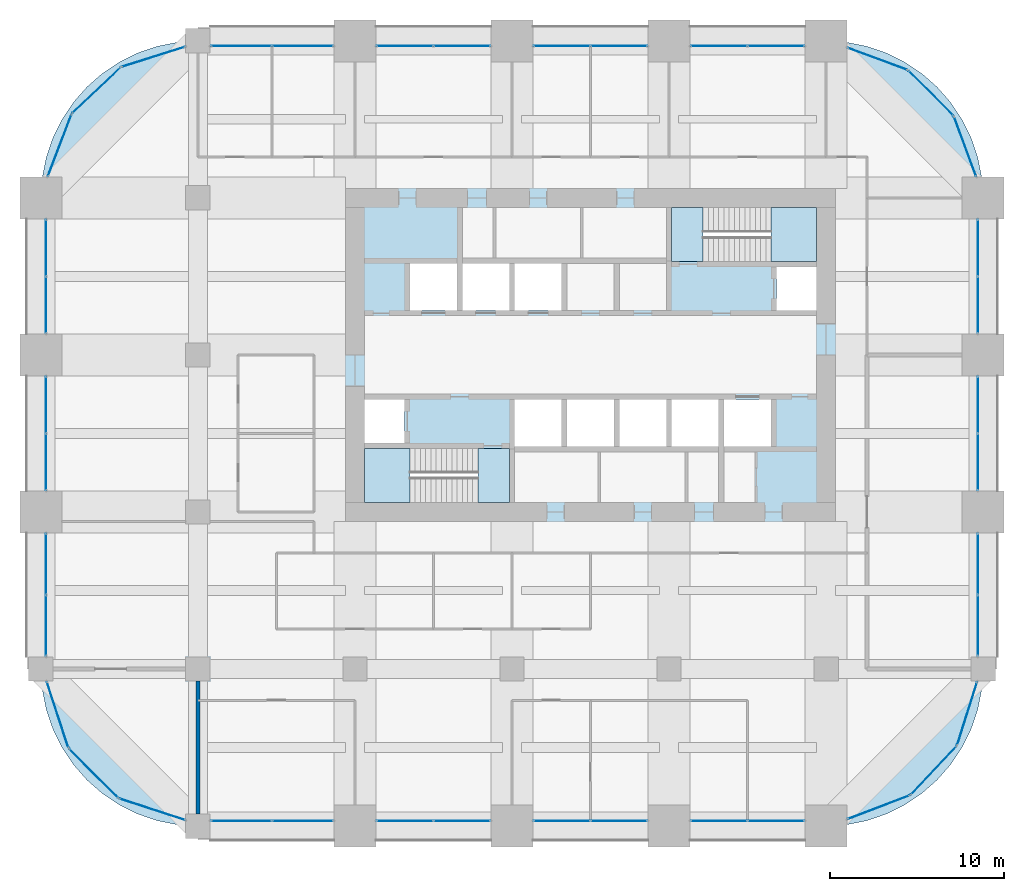
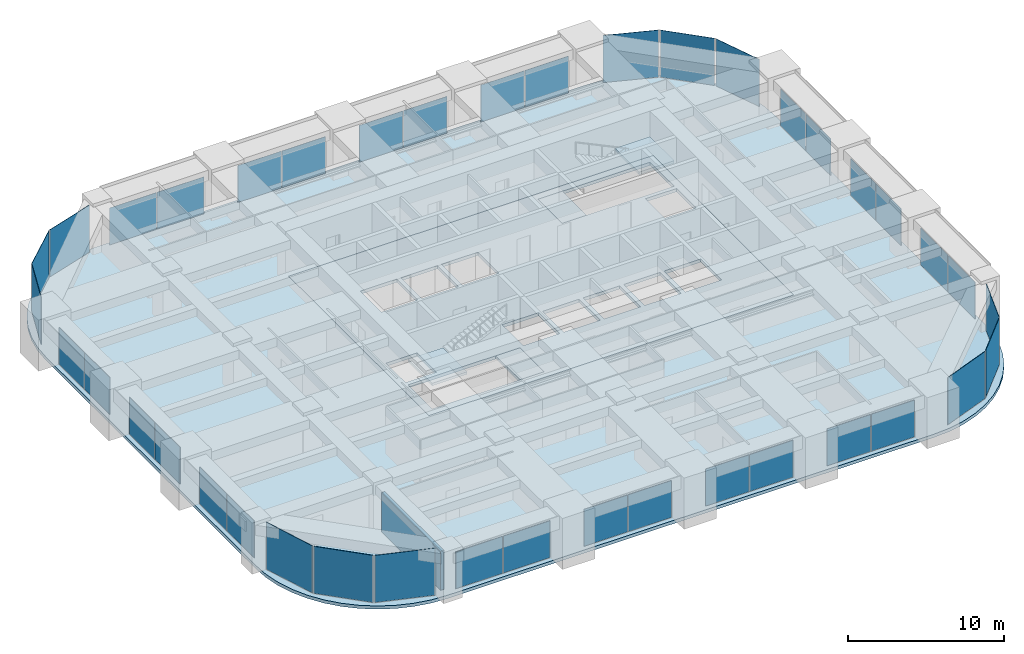
# One storey, part 29 of 34: 40 plates, 6 slabs, 1 wall, 28 elements without a shape of their own.
"""IFC4 building model written with IfcOpenShell, lengths in metres."""

from ifc_helpers import new_model, si_unit, direction, frame, frame_2d, origin, origin_2d, place, context, subcontext, project, spatial, polyline, rectangle, outline, extrude, material, layer, layer_set, type_object, element, aggregate, save


model = new_model("IFC4")

# Units and contexts
model_context = context("Model", 3, precision=1e-05, world=origin(), true_north=direction((0.0, 1.0)))
body_context = subcontext(model_context, "Body", "Model", "MODEL_VIEW")
ifc_project = project(units=[si_unit("LENGTHUNIT", "METRE"), si_unit("AREAUNIT", "SQUARE_METRE"), si_unit("VOLUMEUNIT", "CUBIC_METRE"), si_unit("PLANEANGLEUNIT", "RADIAN"), si_unit("MASSUNIT", "GRAM", prefix="KILO")], contexts=[model_context])

# Site, building, storey
site_placement = place(None, origin())
site = spatial("IfcSite", under=ifc_project, at=site_placement, CompositionType="ELEMENT")
building_placement = place(site_placement, origin())
building = spatial("IfcBuilding", under=site, at=building_placement, Name="Zorevar Civic Tower", CompositionType="ELEMENT")
storey_placement = place(building_placement, frame((0.0, 0.0, 226.199951171875)))
storey = spatial("IfcBuildingStorey", under=building, at=storey_placement, Name="L55", CompositionType="ELEMENT", Elevation=226.199951171875)

# Curtain wall, plates
ifc_material_1 = material(Name="Dark grey solar-control glass in black aluminium frame", Category="aluminium")
curtain_wall_type = type_object("IfcCurtainWallType", Name="Curtain wall CW4 high zone", PredefinedType="NOTDEFINED", material=ifc_material_1)
curtain_wall_1_placement = place(storey_placement, origin())
curtain_wall_1 = element("IfcCurtainWall", 1, at=curtain_wall_1_placement, inside=storey, type_object=curtain_wall_type, Name="CW4 L55", PredefinedType="NOTDEFINED")
ifc_material_2 = material(Name="Dark grey solar-control glass", Category="glass")
ifc_layer_1 = layer(ifc_material_2, 0.028076171875)
ifc_layer_set_1 = layer_set([ifc_layer_1], Name="CW4 panel 28")
plate_type = type_object("IfcPlateType", Name="CW4 panel 28", PredefinedType="CURTAIN_PANEL", material=ifc_layer_set_1)
plate_1_placement = place(storey_placement, frame((11.489990234375, 0.300048828125, 0.06005859375), z_axis=(0.0, 0.0, 1.0), x_axis=(1.0, 0.0, 0.0)))
plate_1 = element("IfcPlate", 2, at=plate_1_placement, type_object=plate_type, Name="CW4 panel 1.1", PredefinedType="CURTAIN_PANEL", context=body_context, shape_type="SweptSolid", body=[
    extrude(rectangle(XDim=3.4599609375, YDim=0.028076171875, at=origin_2d()), origin(), (0.0, 0.0, 1.0), 2.889892578125),
])
plate_2_placement = place(storey_placement, frame((15.010009765625, 0.300048828125, 0.06005859375), z_axis=(0.0, 0.0, 1.0), x_axis=(1.0, 0.0, 0.0)))
plate_2 = element("IfcPlate", 3, at=plate_2_placement, type_object=plate_type, Name="CW4 panel 2.1", PredefinedType="CURTAIN_PANEL", context=body_context, shape_type="SweptSolid", body=[
    extrude(rectangle(XDim=3.4599609375, YDim=0.028076171875, at=origin_2d()), origin(), (0.0, 0.0, 1.0), 2.889892578125),
])
aggregate(curtain_wall_1, [plate_1, plate_2])

curtain_wall_2_placement = place(storey_placement, origin())
curtain_wall_2 = element("IfcCurtainWall", 4, at=curtain_wall_2_placement, inside=storey, type_object=curtain_wall_type, Name="CW4 L55", PredefinedType="NOTDEFINED")
plate_3_placement = place(storey_placement, frame((11.489990234375, 44.699951171875, 0.06005859375), z_axis=(0.0, 0.0, 1.0), x_axis=(1.0, 0.0, 0.0)))
plate_3 = element("IfcPlate", 5, at=plate_3_placement, type_object=plate_type, Name="CW4 panel 1.1", PredefinedType="CURTAIN_PANEL", context=body_context, shape_type="SweptSolid", body=[
    extrude(rectangle(XDim=3.4599609375, YDim=0.028076171875, at=origin_2d()), origin(), (0.0, 0.0, 1.0), 2.889892578125),
])
plate_4_placement = place(storey_placement, frame((15.010009765625, 44.699951171875, 0.06005859375), z_axis=(0.0, 0.0, 1.0), x_axis=(1.0, 0.0, 0.0)))
plate_4 = element("IfcPlate", 6, at=plate_4_placement, type_object=plate_type, Name="CW4 panel 2.1", PredefinedType="CURTAIN_PANEL", context=body_context, shape_type="SweptSolid", body=[
    extrude(rectangle(XDim=3.4599609375, YDim=0.028076171875, at=origin_2d()), origin(), (0.0, 0.0, 1.0), 2.889892578125),
])
aggregate(curtain_wall_2, [plate_3, plate_4])

curtain_wall_3_placement = place(storey_placement, origin())
curtain_wall_3 = element("IfcCurtainWall", 7, at=curtain_wall_3_placement, inside=storey, type_object=curtain_wall_type, Name="CW4 L55", PredefinedType="NOTDEFINED")
plate_5_placement = place(storey_placement, frame((20.864990234375, 0.300048828125, 0.06005859375), z_axis=(0.0, 0.0, 1.0), x_axis=(1.0, 0.0, 0.0)))
plate_5 = element("IfcPlate", 8, at=plate_5_placement, type_object=plate_type, Name="CW4 panel 1.1", PredefinedType="CURTAIN_PANEL", context=body_context, shape_type="SweptSolid", body=[
    extrude(rectangle(XDim=3.2099609375, YDim=0.028076171875, at=origin_2d()), origin(), (0.0, 0.0, 1.0), 2.889892578125),
])
plate_6_placement = place(storey_placement, frame((24.135009765625, 0.300048828125, 0.06005859375), z_axis=(0.0, 0.0, 1.0), x_axis=(1.0, 0.0, 0.0)))
plate_6 = element("IfcPlate", 9, at=plate_6_placement, type_object=plate_type, Name="CW4 panel 2.1", PredefinedType="CURTAIN_PANEL", context=body_context, shape_type="SweptSolid", body=[
    extrude(rectangle(XDim=3.2099609375, YDim=0.028076171875, at=origin_2d()), origin(), (0.0, 0.0, 1.0), 2.889892578125),
])
aggregate(curtain_wall_3, [plate_5, plate_6])

curtain_wall_4_placement = place(storey_placement, origin())
curtain_wall_4 = element("IfcCurtainWall", 10, at=curtain_wall_4_placement, inside=storey, type_object=curtain_wall_type, Name="CW4 L55", PredefinedType="NOTDEFINED")
plate_7_placement = place(storey_placement, frame((20.864990234375, 44.699951171875, 0.06005859375), z_axis=(0.0, 0.0, 1.0), x_axis=(1.0, 0.0, 0.0)))
plate_7 = element("IfcPlate", 11, at=plate_7_placement, type_object=plate_type, Name="CW4 panel 1.1", PredefinedType="CURTAIN_PANEL", context=body_context, shape_type="SweptSolid", body=[
    extrude(rectangle(XDim=3.2099609375, YDim=0.028076171875, at=origin_2d()), origin(), (0.0, 0.0, 1.0), 2.889892578125),
])
plate_8_placement = place(storey_placement, frame((24.135009765625, 44.699951171875, 0.06005859375), z_axis=(0.0, 0.0, 1.0), x_axis=(1.0, 0.0, 0.0)))
plate_8 = element("IfcPlate", 12, at=plate_8_placement, type_object=plate_type, Name="CW4 panel 2.1", PredefinedType="CURTAIN_PANEL", context=body_context, shape_type="SweptSolid", body=[
    extrude(rectangle(XDim=3.2099609375, YDim=0.028076171875, at=origin_2d()), origin(), (0.0, 0.0, 1.0), 2.889892578125),
])
aggregate(curtain_wall_4, [plate_7, plate_8])

curtain_wall_5_placement = place(storey_placement, origin())
curtain_wall_5 = element("IfcCurtainWall", 13, at=curtain_wall_5_placement, inside=storey, type_object=curtain_wall_type, Name="CW4 L55", PredefinedType="NOTDEFINED")
plate_9_placement = place(storey_placement, frame((29.864990234375, 0.300048828125, 0.06005859375), z_axis=(0.0, 0.0, 1.0), x_axis=(1.0, 0.0, 0.0)))
plate_9 = element("IfcPlate", 14, at=plate_9_placement, type_object=plate_type, Name="CW4 panel 1.1", PredefinedType="CURTAIN_PANEL", context=body_context, shape_type="SweptSolid", body=[
    extrude(rectangle(XDim=3.2099609375, YDim=0.028076171875, at=origin_2d()), origin(), (0.0, 0.0, 1.0), 2.889892578125),
])
plate_10_placement = place(storey_placement, frame((33.135009765625, 0.300048828125, 0.06005859375), z_axis=(0.0, 0.0, 1.0), x_axis=(1.0, 0.0, 0.0)))
plate_10 = element("IfcPlate", 15, at=plate_10_placement, type_object=plate_type, Name="CW4 panel 2.1", PredefinedType="CURTAIN_PANEL", context=body_context, shape_type="SweptSolid", body=[
    extrude(rectangle(XDim=3.2099609375, YDim=0.028076171875, at=origin_2d()), origin(), (0.0, 0.0, 1.0), 2.889892578125),
])
aggregate(curtain_wall_5, [plate_9, plate_10])

curtain_wall_6_placement = place(storey_placement, origin())
curtain_wall_6 = element("IfcCurtainWall", 16, at=curtain_wall_6_placement, inside=storey, type_object=curtain_wall_type, Name="CW4 L55", PredefinedType="NOTDEFINED")
plate_11_placement = place(storey_placement, frame((29.864990234375, 44.699951171875, 0.06005859375), z_axis=(0.0, 0.0, 1.0), x_axis=(1.0, 0.0, 0.0)))
plate_11 = element("IfcPlate", 17, at=plate_11_placement, type_object=plate_type, Name="CW4 panel 1.1", PredefinedType="CURTAIN_PANEL", context=body_context, shape_type="SweptSolid", body=[
    extrude(rectangle(XDim=3.2099609375, YDim=0.028076171875, at=origin_2d()), origin(), (0.0, 0.0, 1.0), 2.889892578125),
])
plate_12_placement = place(storey_placement, frame((33.135009765625, 44.699951171875, 0.06005859375), z_axis=(0.0, 0.0, 1.0), x_axis=(1.0, 0.0, 0.0)))
plate_12 = element("IfcPlate", 18, at=plate_12_placement, type_object=plate_type, Name="CW4 panel 2.1", PredefinedType="CURTAIN_PANEL", context=body_context, shape_type="SweptSolid", body=[
    extrude(rectangle(XDim=3.2099609375, YDim=0.028076171875, at=origin_2d()), origin(), (0.0, 0.0, 1.0), 2.889892578125),
])
aggregate(curtain_wall_6, [plate_11, plate_12])

curtain_wall_7_placement = place(storey_placement, origin())
curtain_wall_7 = element("IfcCurtainWall", 19, at=curtain_wall_7_placement, inside=storey, type_object=curtain_wall_type, Name="CW4 L55", PredefinedType="NOTDEFINED")
plate_13_placement = place(storey_placement, frame((38.864990234375, 0.300048828125, 0.06005859375), z_axis=(0.0, 0.0, 1.0), x_axis=(1.0, 0.0, 0.0)))
plate_13 = element("IfcPlate", 20, at=plate_13_placement, type_object=plate_type, Name="CW4 panel 1.1", PredefinedType="CURTAIN_PANEL", context=body_context, shape_type="SweptSolid", body=[
    extrude(rectangle(XDim=3.2099609375, YDim=0.028076171875, at=origin_2d()), origin(), (0.0, 0.0, 1.0), 2.889892578125),
])
plate_14_placement = place(storey_placement, frame((42.135009765625, 0.300048828125, 0.06005859375), z_axis=(0.0, 0.0, 1.0), x_axis=(1.0, 0.0, 0.0)))
plate_14 = element("IfcPlate", 21, at=plate_14_placement, type_object=plate_type, Name="CW4 panel 2.1", PredefinedType="CURTAIN_PANEL", context=body_context, shape_type="SweptSolid", body=[
    extrude(rectangle(XDim=3.2099609375, YDim=0.028076171875, at=origin_2d()), origin(), (0.0, 0.0, 1.0), 2.889892578125),
])
aggregate(curtain_wall_7, [plate_13, plate_14])

curtain_wall_8_placement = place(storey_placement, origin())
curtain_wall_8 = element("IfcCurtainWall", 22, at=curtain_wall_8_placement, inside=storey, type_object=curtain_wall_type, Name="CW4 L55", PredefinedType="NOTDEFINED")
plate_15_placement = place(storey_placement, frame((38.864990234375, 44.699951171875, 0.06005859375), z_axis=(0.0, 0.0, 1.0), x_axis=(1.0, 0.0, 0.0)))
plate_15 = element("IfcPlate", 23, at=plate_15_placement, type_object=plate_type, Name="CW4 panel 1.1", PredefinedType="CURTAIN_PANEL", context=body_context, shape_type="SweptSolid", body=[
    extrude(rectangle(XDim=3.2099609375, YDim=0.028076171875, at=origin_2d()), origin(), (0.0, 0.0, 1.0), 2.889892578125),
])
plate_16_placement = place(storey_placement, frame((42.135009765625, 44.699951171875, 0.06005859375), z_axis=(0.0, 0.0, 1.0), x_axis=(1.0, 0.0, 0.0)))
plate_16 = element("IfcPlate", 24, at=plate_16_placement, type_object=plate_type, Name="CW4 panel 2.1", PredefinedType="CURTAIN_PANEL", context=body_context, shape_type="SweptSolid", body=[
    extrude(rectangle(XDim=3.2099609375, YDim=0.028076171875, at=origin_2d()), origin(), (0.0, 0.0, 1.0), 2.889892578125),
])
aggregate(curtain_wall_8, [plate_15, plate_16])

curtain_wall_9_placement = place(storey_placement, origin())
curtain_wall_9 = element("IfcCurtainWall", 25, at=curtain_wall_9_placement, inside=storey, type_object=curtain_wall_type, Name="CW4 L55", PredefinedType="NOTDEFINED")
plate_17_placement = place(storey_placement, frame((0.300048828125, 11.489990234375, 0.06005859375), z_axis=(0.0, 0.0, 1.0), x_axis=(0.0, 1.0, 0.0)))
plate_17 = element("IfcPlate", 26, at=plate_17_placement, type_object=plate_type, Name="CW4 panel 1.1", PredefinedType="CURTAIN_PANEL", context=body_context, shape_type="SweptSolid", body=[
    extrude(rectangle(XDim=3.4599609375, YDim=0.028076171875, at=origin_2d()), origin(), (0.0, 0.0, 1.0), 2.889892578125),
])
plate_18_placement = place(storey_placement, frame((0.300048828125, 15.010009765625, 0.06005859375), z_axis=(0.0, 0.0, 1.0), x_axis=(0.0, 1.0, 0.0)))
plate_18 = element("IfcPlate", 27, at=plate_18_placement, type_object=plate_type, Name="CW4 panel 2.1", PredefinedType="CURTAIN_PANEL", context=body_context, shape_type="SweptSolid", body=[
    extrude(rectangle(XDim=3.4599609375, YDim=0.028076171875, at=origin_2d()), origin(), (0.0, 0.0, 1.0), 2.889892578125),
])
aggregate(curtain_wall_9, [plate_17, plate_18])

curtain_wall_10_placement = place(storey_placement, origin())
curtain_wall_10 = element("IfcCurtainWall", 28, at=curtain_wall_10_placement, inside=storey, type_object=curtain_wall_type, Name="CW4 L55", PredefinedType="NOTDEFINED")
plate_19_placement = place(storey_placement, frame((53.699951171875, 11.489990234375, 0.06005859375), z_axis=(0.0, 0.0, 1.0), x_axis=(0.0, 1.0, 0.0)))
plate_19 = element("IfcPlate", 29, at=plate_19_placement, type_object=plate_type, Name="CW4 panel 1.1", PredefinedType="CURTAIN_PANEL", context=body_context, shape_type="SweptSolid", body=[
    extrude(rectangle(XDim=3.4599609375, YDim=0.028076171875, at=origin_2d()), origin(), (0.0, 0.0, 1.0), 2.889892578125),
])
plate_20_placement = place(storey_placement, frame((53.699951171875, 15.010009765625, 0.06005859375), z_axis=(0.0, 0.0, 1.0), x_axis=(0.0, 1.0, 0.0)))
plate_20 = element("IfcPlate", 30, at=plate_20_placement, type_object=plate_type, Name="CW4 panel 2.1", PredefinedType="CURTAIN_PANEL", context=body_context, shape_type="SweptSolid", body=[
    extrude(rectangle(XDim=3.4599609375, YDim=0.028076171875, at=origin_2d()), origin(), (0.0, 0.0, 1.0), 2.889892578125),
])
aggregate(curtain_wall_10, [plate_19, plate_20])

curtain_wall_11_placement = place(storey_placement, origin())
curtain_wall_11 = element("IfcCurtainWall", 31, at=curtain_wall_11_placement, inside=storey, type_object=curtain_wall_type, Name="CW4 L55", PredefinedType="NOTDEFINED")
plate_21_placement = place(storey_placement, frame((0.300048828125, 20.864990234375, 0.06005859375), z_axis=(0.0, 0.0, 1.0), x_axis=(0.0, 1.0, 0.0)))
plate_21 = element("IfcPlate", 32, at=plate_21_placement, type_object=plate_type, Name="CW4 panel 1.1", PredefinedType="CURTAIN_PANEL", context=body_context, shape_type="SweptSolid", body=[
    extrude(rectangle(XDim=3.2099609375, YDim=0.028076171875, at=origin_2d()), origin(), (0.0, 0.0, 1.0), 2.889892578125),
])
plate_22_placement = place(storey_placement, frame((0.300048828125, 24.135009765625, 0.06005859375), z_axis=(0.0, 0.0, 1.0), x_axis=(0.0, 1.0, 0.0)))
plate_22 = element("IfcPlate", 33, at=plate_22_placement, type_object=plate_type, Name="CW4 panel 2.1", PredefinedType="CURTAIN_PANEL", context=body_context, shape_type="SweptSolid", body=[
    extrude(rectangle(XDim=3.2099609375, YDim=0.028076171875, at=origin_2d()), origin(), (0.0, 0.0, 1.0), 2.889892578125),
])
aggregate(curtain_wall_11, [plate_21, plate_22])

curtain_wall_12_placement = place(storey_placement, origin())
curtain_wall_12 = element("IfcCurtainWall", 34, at=curtain_wall_12_placement, inside=storey, type_object=curtain_wall_type, Name="CW4 L55", PredefinedType="NOTDEFINED")
plate_23_placement = place(storey_placement, frame((53.699951171875, 20.864990234375, 0.06005859375), z_axis=(0.0, 0.0, 1.0), x_axis=(0.0, 1.0, 0.0)))
plate_23 = element("IfcPlate", 35, at=plate_23_placement, type_object=plate_type, Name="CW4 panel 1.1", PredefinedType="CURTAIN_PANEL", context=body_context, shape_type="SweptSolid", body=[
    extrude(rectangle(XDim=3.2099609375, YDim=0.028076171875, at=origin_2d()), origin(), (0.0, 0.0, 1.0), 2.889892578125),
])
plate_24_placement = place(storey_placement, frame((53.699951171875, 24.135009765625, 0.06005859375), z_axis=(0.0, 0.0, 1.0), x_axis=(0.0, 1.0, 0.0)))
plate_24 = element("IfcPlate", 36, at=plate_24_placement, type_object=plate_type, Name="CW4 panel 2.1", PredefinedType="CURTAIN_PANEL", context=body_context, shape_type="SweptSolid", body=[
    extrude(rectangle(XDim=3.2099609375, YDim=0.028076171875, at=origin_2d()), origin(), (0.0, 0.0, 1.0), 2.889892578125),
])
aggregate(curtain_wall_12, [plate_23, plate_24])

curtain_wall_13_placement = place(storey_placement, origin())
curtain_wall_13 = element("IfcCurtainWall", 37, at=curtain_wall_13_placement, inside=storey, type_object=curtain_wall_type, Name="CW4 L55", PredefinedType="NOTDEFINED")
plate_25_placement = place(storey_placement, frame((0.300048828125, 29.864990234375, 0.06005859375), z_axis=(0.0, 0.0, 1.0), x_axis=(0.0, 1.0, 0.0)))
plate_25 = element("IfcPlate", 38, at=plate_25_placement, type_object=plate_type, Name="CW4 panel 1.1", PredefinedType="CURTAIN_PANEL", context=body_context, shape_type="SweptSolid", body=[
    extrude(rectangle(XDim=3.2099609375, YDim=0.028076171875, at=origin_2d()), origin(), (0.0, 0.0, 1.0), 2.889892578125),
])
plate_26_placement = place(storey_placement, frame((0.300048828125, 33.135009765625, 0.06005859375), z_axis=(0.0, 0.0, 1.0), x_axis=(0.0, 1.0, 0.0)))
plate_26 = element("IfcPlate", 39, at=plate_26_placement, type_object=plate_type, Name="CW4 panel 2.1", PredefinedType="CURTAIN_PANEL", context=body_context, shape_type="SweptSolid", body=[
    extrude(rectangle(XDim=3.2099609375, YDim=0.028076171875, at=origin_2d()), origin(), (0.0, 0.0, 1.0), 2.889892578125),
])
aggregate(curtain_wall_13, [plate_25, plate_26])

curtain_wall_14_placement = place(storey_placement, origin())
curtain_wall_14 = element("IfcCurtainWall", 40, at=curtain_wall_14_placement, inside=storey, type_object=curtain_wall_type, Name="CW4 L55", PredefinedType="NOTDEFINED")
plate_27_placement = place(storey_placement, frame((53.699951171875, 29.864990234375, 0.06005859375), z_axis=(0.0, 0.0, 1.0), x_axis=(0.0, 1.0, 0.0)))
plate_27 = element("IfcPlate", 41, at=plate_27_placement, type_object=plate_type, Name="CW4 panel 1.1", PredefinedType="CURTAIN_PANEL", context=body_context, shape_type="SweptSolid", body=[
    extrude(rectangle(XDim=3.2099609375, YDim=0.028076171875, at=origin_2d()), origin(), (0.0, 0.0, 1.0), 2.889892578125),
])
plate_28_placement = place(storey_placement, frame((53.699951171875, 33.135009765625, 0.06005859375), z_axis=(0.0, 0.0, 1.0), x_axis=(0.0, 1.0, 0.0)))
plate_28 = element("IfcPlate", 42, at=plate_28_placement, type_object=plate_type, Name="CW4 panel 2.1", PredefinedType="CURTAIN_PANEL", context=body_context, shape_type="SweptSolid", body=[
    extrude(rectangle(XDim=3.2099609375, YDim=0.028076171875, at=origin_2d()), origin(), (0.0, 0.0, 1.0), 2.889892578125),
])
aggregate(curtain_wall_14, [plate_27, plate_28])

# Curtain wall, plate
curtain_wall_15_placement = place(storey_placement, origin())
curtain_wall_15 = element("IfcCurtainWall", 43, at=curtain_wall_15_placement, inside=storey, type_object=curtain_wall_type, Name="CW4 L55", PredefinedType="NOTDEFINED")
plate_29_placement = place(storey_placement, frame((48.0166015625, 1.07470703125, 0.06005859375), z_axis=(0.0, 0.0, 1.0), x_axis=(0.93458842801, 0.355730895803, 0.0)))
plate_29 = element("IfcPlate", 44, at=plate_29_placement, type_object=plate_type, Name="CW4 panel 1.1", PredefinedType="CURTAIN_PANEL", context=body_context, shape_type="SweptSolid", body=[
    extrude(rectangle(XDim=3.767333984375, YDim=0.028076171875, at=origin_2d()), origin(), (0.0, 0.0, 1.0), 3.68994140625),
])
aggregate(curtain_wall_15, [plate_29])

curtain_wall_16_placement = place(storey_placement, origin())
curtain_wall_16 = element("IfcCurtainWall", 45, at=curtain_wall_16_placement, inside=storey, type_object=curtain_wall_type, Name="CW4 L55", PredefinedType="NOTDEFINED")
plate_30_placement = place(storey_placement, frame((51.167236328125, 3.179443359375, 0.06005859375), z_axis=(0.0, 0.0, 1.0), x_axis=(0.686377907265, 0.727245053898, 0.0)))
plate_30 = element("IfcPlate", 46, at=plate_30_placement, type_object=plate_type, Name="CW4 panel 1.1", PredefinedType="CURTAIN_PANEL", context=body_context, shape_type="SweptSolid", body=[
    extrude(rectangle(XDim=3.767333984375, YDim=0.028076171875, at=origin_2d()), origin(), (0.0, 0.0, 1.0), 3.68994140625),
])
aggregate(curtain_wall_16, [plate_30])

curtain_wall_17_placement = place(storey_placement, origin())
curtain_wall_17 = element("IfcCurtainWall", 47, at=curtain_wall_17_placement, inside=storey, type_object=curtain_wall_type, Name="CW4 L55", PredefinedType="NOTDEFINED")
plate_31_placement = place(storey_placement, frame((53.08642578125, 6.446533203125, 0.06005859375), z_axis=(0.0, 0.0, 1.0), x_axis=(0.301108296077, 0.953589950678, 0.0)))
plate_31 = element("IfcPlate", 48, at=plate_31_placement, type_object=plate_type, Name="CW4 panel 1.1", PredefinedType="CURTAIN_PANEL", context=body_context, shape_type="SweptSolid", body=[
    extrude(rectangle(XDim=3.767333984375, YDim=0.028076171875, at=origin_2d()), origin(), (0.0, 0.0, 1.0), 3.68994140625),
])
aggregate(curtain_wall_17, [plate_31])

curtain_wall_18_placement = place(storey_placement, origin())
curtain_wall_18 = element("IfcCurtainWall", 49, at=curtain_wall_18_placement, inside=storey, type_object=curtain_wall_type, Name="CW4 L55", PredefinedType="NOTDEFINED")
plate_32_placement = place(storey_placement, frame((52.97119140625, 38.9462890625, 0.06005859375), z_axis=(0.0, 0.0, 1.0), x_axis=(-0.346704012033, 0.937974588163, 0.0)))
plate_32 = element("IfcPlate", 50, at=plate_32_placement, type_object=plate_type, Name="CW4 panel 1.1", PredefinedType="CURTAIN_PANEL", context=body_context, shape_type="SweptSolid", body=[
    extrude(rectangle(XDim=3.603759765625, YDim=0.028076171875, at=origin_2d()), origin(), (0.0, 0.0, 1.0), 3.68994140625),
])
aggregate(curtain_wall_18, [plate_32])

curtain_wall_19_placement = place(storey_placement, origin())
curtain_wall_19 = element("IfcCurtainWall", 51, at=curtain_wall_19_placement, inside=storey, type_object=curtain_wall_type, Name="CW4 L55", PredefinedType="NOTDEFINED")
plate_33_placement = place(storey_placement, frame((51.00927734375, 42.00927734375, 0.06005859375), z_axis=(0.0, 0.0, 1.0), x_axis=(-0.707106781187, 0.707106781187, 0.0)))
plate_33 = element("IfcPlate", 52, at=plate_33_placement, type_object=plate_type, Name="CW4 panel 1.1", PredefinedType="CURTAIN_PANEL", context=body_context, shape_type="SweptSolid", body=[
    extrude(rectangle(XDim=3.603759765625, YDim=0.028076171875, at=origin_2d()), origin(), (0.0, 0.0, 1.0), 3.68994140625),
])
aggregate(curtain_wall_19, [plate_33])

curtain_wall_20_placement = place(storey_placement, origin())
curtain_wall_20 = element("IfcCurtainWall", 53, at=curtain_wall_20_placement, inside=storey, type_object=curtain_wall_type, Name="CW4 L55", PredefinedType="NOTDEFINED")
plate_34_placement = place(storey_placement, frame((47.9462890625, 43.97119140625, 0.06005859375), z_axis=(0.0, 0.0, 1.0), x_axis=(-0.937974588163, 0.346704012033, 0.0)))
plate_34 = element("IfcPlate", 54, at=plate_34_placement, type_object=plate_type, Name="CW4 panel 1.1", PredefinedType="CURTAIN_PANEL", context=body_context, shape_type="SweptSolid", body=[
    extrude(rectangle(XDim=3.603759765625, YDim=0.028076171875, at=origin_2d()), origin(), (0.0, 0.0, 1.0), 3.68994140625),
])
aggregate(curtain_wall_20, [plate_34])

curtain_wall_21_placement = place(storey_placement, origin())
curtain_wall_21 = element("IfcCurtainWall", 55, at=curtain_wall_21_placement, inside=storey, type_object=curtain_wall_type, Name="CW4 L55", PredefinedType="NOTDEFINED")
plate_35_placement = place(storey_placement, frame((6.446533203125, 44.08642578125, 0.06005859375), z_axis=(0.0, 0.0, 1.0), x_axis=(-0.953589950678, -0.301108296077, 0.0)))
plate_35 = element("IfcPlate", 56, at=plate_35_placement, type_object=plate_type, Name="CW4 panel 1.1", PredefinedType="CURTAIN_PANEL", context=body_context, shape_type="SweptSolid", body=[
    extrude(rectangle(XDim=3.767333984375, YDim=0.028076171875, at=origin_2d()), origin(), (0.0, 0.0, 1.0), 3.68994140625),
])
aggregate(curtain_wall_21, [plate_35])

curtain_wall_22_placement = place(storey_placement, origin())
curtain_wall_22 = element("IfcCurtainWall", 57, at=curtain_wall_22_placement, inside=storey, type_object=curtain_wall_type, Name="CW4 L55", PredefinedType="NOTDEFINED")
plate_36_placement = place(storey_placement, frame((3.179443359375, 42.167236328125, 0.06005859375), z_axis=(0.0, 0.0, 1.0), x_axis=(-0.727245053898, -0.686377907265, 0.0)))
plate_36 = element("IfcPlate", 58, at=plate_36_placement, type_object=plate_type, Name="CW4 panel 1.1", PredefinedType="CURTAIN_PANEL", context=body_context, shape_type="SweptSolid", body=[
    extrude(rectangle(XDim=3.767333984375, YDim=0.028076171875, at=origin_2d()), origin(), (0.0, 0.0, 1.0), 3.68994140625),
])
aggregate(curtain_wall_22, [plate_36])

curtain_wall_23_placement = place(storey_placement, origin())
curtain_wall_23 = element("IfcCurtainWall", 59, at=curtain_wall_23_placement, inside=storey, type_object=curtain_wall_type, Name="CW4 L55", PredefinedType="NOTDEFINED")
plate_37_placement = place(storey_placement, frame((1.07470703125, 39.0166015625, 0.06005859375), z_axis=(0.0, 0.0, 1.0), x_axis=(-0.355730895803, -0.93458842801, 0.0)))
plate_37 = element("IfcPlate", 60, at=plate_37_placement, type_object=plate_type, Name="CW4 panel 1.1", PredefinedType="CURTAIN_PANEL", context=body_context, shape_type="SweptSolid", body=[
    extrude(rectangle(XDim=3.767333984375, YDim=0.028076171875, at=origin_2d()), origin(), (0.0, 0.0, 1.0), 3.68994140625),
])
aggregate(curtain_wall_23, [plate_37])

curtain_wall_24_placement = place(storey_placement, origin())
curtain_wall_24 = element("IfcCurtainWall", 61, at=curtain_wall_24_placement, inside=storey, type_object=curtain_wall_type, Name="CW4 L55", PredefinedType="NOTDEFINED")
plate_38_placement = place(storey_placement, frame((0.956787109375, 6.374755859375, 0.06005859375), z_axis=(0.0, 0.0, 1.0), x_axis=(0.310281419775, -0.950644749916, 0.0)))
plate_38 = element("IfcPlate", 62, at=plate_38_placement, type_object=plate_type, Name="CW4 panel 1.1", PredefinedType="CURTAIN_PANEL", context=body_context, shape_type="SweptSolid", body=[
    extrude(rectangle(XDim=3.9306640625, YDim=0.028076171875, at=origin_2d()), origin(), (0.0, 0.0, 1.0), 3.68994140625),
])
aggregate(curtain_wall_24, [plate_38])

curtain_wall_25_placement = place(storey_placement, origin())
curtain_wall_25 = element("IfcCurtainWall", 63, at=curtain_wall_25_placement, inside=storey, type_object=curtain_wall_type, Name="CW4 L55", PredefinedType="NOTDEFINED")
plate_39_placement = place(storey_placement, frame((3.01708984375, 3.01708984375, 0.06005859375), z_axis=(0.0, 0.0, 1.0), x_axis=(0.707106781187, -0.707106781187, 0.0)))
plate_39 = element("IfcPlate", 64, at=plate_39_placement, type_object=plate_type, Name="CW4 panel 1.1", PredefinedType="CURTAIN_PANEL", context=body_context, shape_type="SweptSolid", body=[
    extrude(rectangle(XDim=3.9306640625, YDim=0.028076171875, at=origin_2d()), origin(), (0.0, 0.0, 1.0), 3.68994140625),
])
aggregate(curtain_wall_25, [plate_39])

curtain_wall_26_placement = place(storey_placement, origin())
curtain_wall_26 = element("IfcCurtainWall", 65, at=curtain_wall_26_placement, inside=storey, type_object=curtain_wall_type, Name="CW4 L55", PredefinedType="NOTDEFINED")
plate_40_placement = place(storey_placement, frame((6.374755859375, 0.956787109375, 0.06005859375), z_axis=(0.0, 0.0, 1.0), x_axis=(0.950644749916, -0.310281419775, 0.0)))
plate_40 = element("IfcPlate", 66, at=plate_40_placement, type_object=plate_type, Name="CW4 panel 1.1", PredefinedType="CURTAIN_PANEL", context=body_context, shape_type="SweptSolid", body=[
    extrude(rectangle(XDim=3.9306640625, YDim=0.028076171875, at=origin_2d()), origin(), (0.0, 0.0, 1.0), 3.68994140625),
])
aggregate(curtain_wall_26, [plate_40])

# Slabs
ifc_material_3 = material(Name="Concrete C40/50", Category="concrete")
ifc_layer_2 = layer(ifc_material_3, 0.25)
ifc_layer_set_2 = layer_set([ifc_layer_2], Name="Floor slab 250")
slab_type_1 = type_object("IfcSlabType", Name="Floor slab 250", PredefinedType="FLOOR", material=ifc_layer_set_2)
slab_1_placement = place(storey_placement, frame((0.0, 0.0, -0.25)))
element("IfcSlab", 67, at=slab_1_placement, inside=storey, type_object=slab_type_1, Name="Floor slab L55", PredefinedType="FLOOR", context=body_context, shape_type="SweptSolid", body=[
    extrude(outline(polyline([(45.0, 0.0), (46.1748046875, 0.076904296875), (47.329345703125, 0.306640625), (48.444091796875, 0.68505859375), (49.5, 1.205810546875), (50.478759765625, 1.85986328125), (51.364013671875, 2.635986328125), (52.14013671875, 3.521240234375), (52.794189453125, 4.5), (53.31494140625, 5.555908203125), (53.693359375, 6.670654296875), (53.923095703125, 7.8251953125), (54.0, 9.0), (54.0, 36.0), (53.923095703125, 37.1748046875), (53.693359375, 38.329345703125), (53.31494140625, 39.444091796875), (52.794189453125, 40.5), (52.14013671875, 41.478759765625), (51.364013671875, 42.364013671875), (50.478759765625, 43.14013671875), (49.5, 43.794189453125), (48.444091796875, 44.31494140625), (47.329345703125, 44.693359375), (46.1748046875, 44.923095703125), (45.0, 45.0), (9.0, 45.0), (7.8251953125, 44.923095703125), (6.670654296875, 44.693359375), (5.555908203125, 44.31494140625), (4.5, 43.794189453125), (3.521240234375, 43.14013671875), (2.635986328125, 42.364013671875), (1.85986328125, 41.478759765625), (1.205810546875, 40.5), (0.68505859375, 39.444091796875), (0.306640625, 38.329345703125), (0.076904296875, 37.1748046875), (0.0, 36.0), (0.0, 9.0), (0.076904296875, 7.8251953125), (0.306640625, 6.670654296875), (0.68505859375, 5.555908203125), (1.205810546875, 4.5), (1.85986328125, 3.521240234375), (2.635986328125, 2.635986328125), (3.521240234375, 1.85986328125), (4.5, 1.205810546875), (5.555908203125, 0.68505859375), (6.670654296875, 0.306640625), (7.8251953125, 0.076904296875), (9.0, 0.0), (45.0, 0.0)]), holes=[polyline([(18.0, 18.0), (45.0, 18.0), (45.0, 36.0), (18.0, 36.0), (18.0, 18.0)])]), origin(), (0.0, 0.0, 1.0), 0.25),
])
slab_2_placement = place(storey_placement, frame((0.0, 0.0, -0.25)))
element("IfcSlab", 68, at=slab_2_placement, inside=storey, type_object=slab_type_1, Name="Core floor L55", PredefinedType="FLOOR", context=body_context, shape_type="SweptSolid", body=[
    extrude(outline(polyline([(18.0, 18.0), (45.0, 18.0), (45.0, 36.0), (18.0, 36.0), (18.0, 18.0)]), holes=[polyline([(18.550048828125, 18.550048828125), (26.85009765625, 18.550048828125), (26.85009765625, 21.64990234375), (18.550048828125, 21.64990234375), (18.550048828125, 18.550048828125)]), polyline([(36.14990234375, 32.35009765625), (44.449951171875, 32.35009765625), (44.449951171875, 35.449951171875), (36.14990234375, 35.449951171875), (36.14990234375, 32.35009765625)]), polyline([(18.550048828125, 21.949951171875), (20.85009765625, 21.949951171875), (20.85009765625, 24.449951171875), (18.550048828125, 24.449951171875), (18.550048828125, 21.949951171875)]), polyline([(42.14990234375, 29.550048828125), (44.449951171875, 29.550048828125), (44.449951171875, 32.050048828125), (42.14990234375, 32.050048828125), (42.14990234375, 29.550048828125)]), polyline([(27.14990234375, 21.75), (29.85009765625, 21.75), (29.85009765625, 24.449951171875), (27.14990234375, 24.449951171875), (27.14990234375, 21.75)]), polyline([(30.14990234375, 21.75), (32.85009765625, 21.75), (32.85009765625, 24.449951171875), (30.14990234375, 24.449951171875), (30.14990234375, 21.75)]), polyline([(33.14990234375, 21.75), (35.85009765625, 21.75), (35.85009765625, 24.449951171875), (33.14990234375, 24.449951171875), (33.14990234375, 21.75)]), polyline([(27.14990234375, 29.550048828125), (29.85009765625, 29.550048828125), (29.85009765625, 32.25), (27.14990234375, 32.25), (27.14990234375, 29.550048828125)]), polyline([(36.14990234375, 21.75), (38.85009765625, 21.75), (38.85009765625, 24.449951171875), (36.14990234375, 24.449951171875), (36.14990234375, 21.75)]), polyline([(24.14990234375, 29.550048828125), (26.85009765625, 29.550048828125), (26.85009765625, 32.25), (24.14990234375, 32.25), (24.14990234375, 29.550048828125)]), polyline([(39.14990234375, 21.75), (41.85009765625, 21.75), (41.85009765625, 24.449951171875), (39.14990234375, 24.449951171875), (39.14990234375, 21.75)]), polyline([(21.14990234375, 29.550048828125), (23.85009765625, 29.550048828125), (23.85009765625, 32.25), (21.14990234375, 32.25), (21.14990234375, 29.550048828125)])]), origin(), (0.0, 0.0, 1.0), 0.25),
])

# Stair, slabs
ifc_material_4 = material(Name="Precast concrete C40/50", Category="concrete")
stair_type = type_object("IfcStairType", Name="Stair ST 28R", PredefinedType="HALF_TURN_STAIR", material=ifc_material_4)
stair_1_placement = place(storey_placement, origin())
stair_1 = element("IfcStair", 69, at=stair_1_placement, inside=storey, type_object=stair_type, Name="Stair ST1 L55", PredefinedType="HALF_TURN_STAIR")
ifc_material_5 = material(Name="Concrete C40/50", Category="concrete")
ifc_layer_3 = layer(ifc_material_5, 0.199951171875)
ifc_layer_set_3 = layer_set([ifc_layer_3], Name="Stair landing 200")
slab_type_2 = type_object("IfcSlabType", Name="Stair landing 200", PredefinedType="LANDING", material=ifc_layer_set_3)
slab_3_placement = place(storey_placement, frame((0.0, 0.0, -0.199951171875)))
slab_3 = element("IfcSlab", 70, at=slab_3_placement, type_object=slab_type_2, Name="ST1 landing 1", PredefinedType="LANDING", context=body_context, shape_type="SweptSolid", body=[
    extrude(outline(polyline([(25.050048828125, 18.550048828125), (26.85009765625, 18.550048828125), (26.85009765625, 21.64990234375), (25.050048828125, 21.64990234375), (25.050048828125, 18.550048828125)])), origin(), (0.0, 0.0, 1.0), 0.199951171875),
])
slab_4_placement = place(storey_placement, frame((0.0, 0.0, 1.800048828125)))
slab_4 = element("IfcSlab", 71, at=slab_4_placement, type_object=slab_type_2, Name="ST1 landing 2", PredefinedType="LANDING", context=body_context, shape_type="SweptSolid", body=[
    extrude(outline(polyline([(18.550048828125, 18.550048828125), (21.14990234375, 18.550048828125), (21.14990234375, 21.64990234375), (18.550048828125, 21.64990234375), (18.550048828125, 18.550048828125)])), origin(), (0.0, 0.0, 1.0), 0.199951171875),
])
aggregate(stair_1, [slab_3, slab_4])

stair_2_placement = place(storey_placement, origin())
stair_2 = element("IfcStair", 72, at=stair_2_placement, inside=storey, type_object=stair_type, Name="Stair ST2 L55", PredefinedType="HALF_TURN_STAIR")
slab_5_placement = place(storey_placement, frame((0.0, 0.0, -0.199951171875)))
slab_5 = element("IfcSlab", 73, at=slab_5_placement, type_object=slab_type_2, Name="ST2 landing 1", PredefinedType="LANDING", context=body_context, shape_type="SweptSolid", body=[
    extrude(outline(polyline([(37.949951171875, 32.35009765625), (36.14990234375, 32.35009765625), (36.14990234375, 35.449951171875), (37.949951171875, 35.449951171875), (37.949951171875, 32.35009765625)])), origin(), (0.0, 0.0, 1.0), 0.199951171875),
])
slab_6_placement = place(storey_placement, frame((0.0, 0.0, 1.800048828125)))
slab_6 = element("IfcSlab", 74, at=slab_6_placement, type_object=slab_type_2, Name="ST2 landing 2", PredefinedType="LANDING", context=body_context, shape_type="SweptSolid", body=[
    extrude(outline(polyline([(44.449951171875, 32.35009765625), (41.85009765625, 32.35009765625), (41.85009765625, 35.449951171875), (44.449951171875, 35.449951171875), (44.449951171875, 32.35009765625)])), origin(), (0.0, 0.0, 1.0), 0.199951171875),
])
aggregate(stair_2, [slab_5, slab_6])

# Wall
ifc_material_6 = material(Name="Twin-stud acoustic wall, gypsum board")
ifc_layer_4 = layer(ifc_material_6, 0.25)
ifc_layer_set_4 = layer_set([ifc_layer_4], Name="Acoustic wall 250")
wall_type = type_object("IfcWallType", Name="Acoustic wall 250", PredefinedType="PARTITIONING", material=ifc_layer_set_4)
wall_placement = place(storey_placement, frame((9.0, 0.699951171875, 0.0), z_axis=(0.0, 0.0, 1.0), x_axis=(0.0, 1.0, 0.0)))
element("IfcWall", 75, at=wall_placement, inside=storey, type_object=wall_type, Name="Acoustic wall 250 L55", PredefinedType="PARTITIONING", context=body_context, shape_type="SweptSolid", body=[
    extrude(rectangle(XDim=7.60009765625, YDim=0.25, at=frame_2d((3.800048828125, 0.0))), origin(), (0.0, 0.0, 1.0), 3.050048828125),
])

save(model, "model.ifc")
